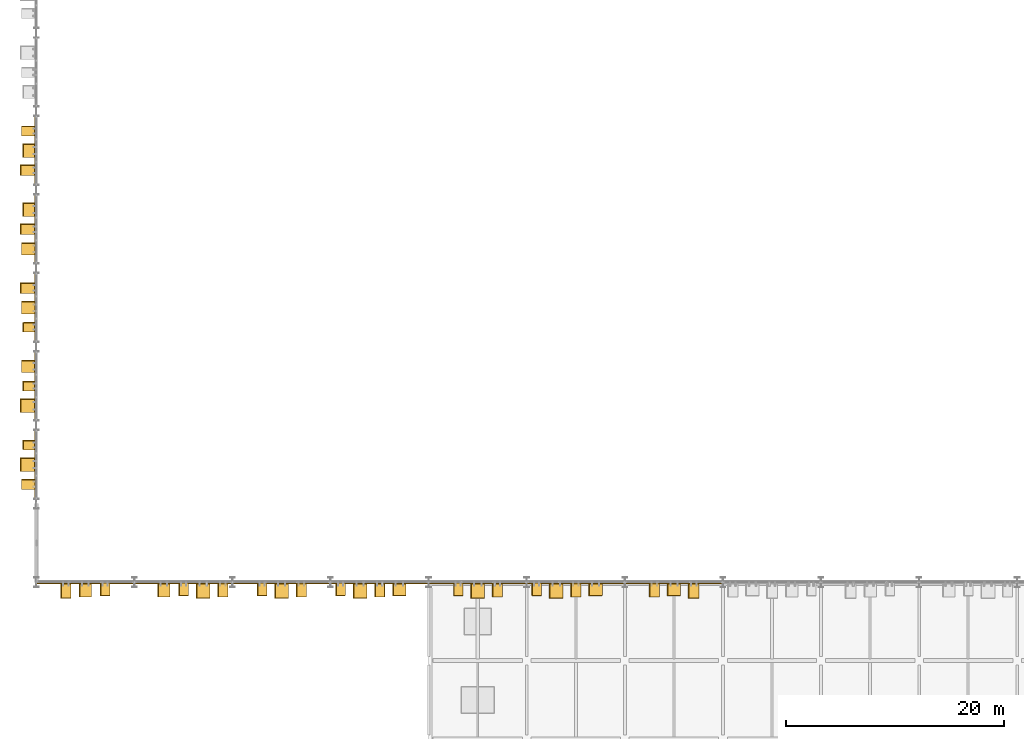
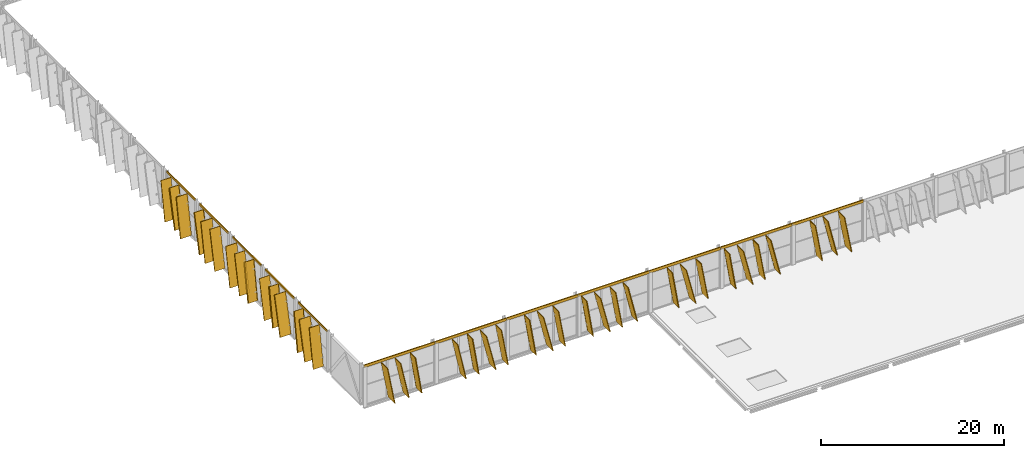
# One storey, part 158 of 189: 51 coverings, 39 shading devices.
"""IFC4 building model written with IfcOpenShell, lengths in metres."""

from ifc_helpers import new_model, si_unit, direction, frame, origin, origin_2d, place, context, subcontext, project, spatial, rectangle, extrude, material, layer, layer_set, material_profile, profile_set, type_object, element, save


model = new_model("IFC4")

# Units and contexts
model_context = context("Model", 3, precision=1e-05, world=origin(), true_north=direction((0.0, 1.0)))
body_context = subcontext(model_context, "Body", "Model", "MODEL_VIEW")
ifc_project = project(units=[si_unit("LENGTHUNIT", "METRE"), si_unit("AREAUNIT", "SQUARE_METRE"), si_unit("VOLUMEUNIT", "CUBIC_METRE"), si_unit("PLANEANGLEUNIT", "RADIAN"), si_unit("MASSUNIT", "GRAM", prefix="KILO")], contexts=[model_context])

# Site, building, storey
site_placement = place(None, origin())
site = spatial("IfcSite", under=ifc_project, at=site_placement, CompositionType="ELEMENT")
building_placement = place(site_placement, origin())
building = spatial("IfcBuilding", under=site, at=building_placement, Name="Celestram Park Convention Centre", CompositionType="ELEMENT")
storey_placement = place(building_placement, frame((0.0, 0.0, 5.39990234375)))
storey = spatial("IfcBuildingStorey", under=building, at=storey_placement, Name="L01", CompositionType="ELEMENT", Elevation=5.39990234375)

# Coverings
ifc_material_1 = material(Name="Anodised Bronze Aluminium Spandrel Cladding", Category="aluminium")
ifc_layer = layer(ifc_material_1, 0.050048828125)
ifc_layer_set = layer_set([ifc_layer], Name="Anodised Bronze Aluminium Spandrel Cladding")
covering_type_1 = type_object("IfcCoveringType", Name="ARC-COV-CLD060", PredefinedType="CLADDING", material=ifc_layer_set)
for number, where, z_axis, x_axis, name in (
    (1, (-0.080078125, 32.39990234375, 5.1201171875), (0.0, 0.0, 1.0), (0.0, 1.0, 0.0), "Bronze spandrel cladding CL-L01-113"),
    (2, (-0.080078125, 39.60009765625, 5.1201171875), (0.0, 0.0, 1.0), (0.0, 1.0, 0.0), "Bronze spandrel cladding CL-L01-114"),
    (3, (-0.080078125, 46.800048828125, 5.1201171875), (0.0, 0.0, 1.0), (0.0, 1.0, 0.0), "Bronze spandrel cladding CL-L01-115"),
    (4, (-0.080078125, 54.0, 5.1201171875), (0.0, 0.0, 1.0), (0.0, 1.0, 0.0), "Bronze spandrel cladding CL-L01-116"),
    (5, (-0.080078125, 61.199951171875, 5.1201171875), (0.0, 0.0, 1.0), (0.0, 1.0, 0.0), "Bronze spandrel cladding CL-L01-117"),
):
    element("IfcCovering", number, at=place(storey_placement, frame(where, z_axis=z_axis, x_axis=x_axis)), inside=storey, type_object=covering_type_1, Name=name, PredefinedType="CLADDING", context=body_context, shape_type="SweptSolid", body=[
        extrude(rectangle(XDim=6.27197265625, YDim=0.1201171875, at=origin_2d()), origin(), (0.0, 0.0, 1.0), 0.280029296875),
    ])
for number, where, z_axis, x_axis, name in (
    (6, (31.5, 21.52001953125, 5.047119140625), (0.0, 0.0, 1.0), (-1.0, 0.0, 0.0), "Bronze spandrel cladding CL-L01-123"),
    (7, (22.5, 21.52001953125, 5.047119140625), (0.0, 0.0, 1.0), (-1.0, 0.0, 0.0), "Bronze spandrel cladding CL-L01-124"),
    (8, (13.5, 21.52001953125, 5.047119140625), (0.0, 0.0, 1.0), (-1.0, 0.0, 0.0), "Bronze spandrel cladding CL-L01-125"),
    (9, (4.5, 21.52001953125, 5.047119140625), (0.0, 0.0, 1.0), (-1.0, 0.0, 0.0), "Bronze spandrel cladding CL-L01-126"),
    (10, (58.5, 21.52001953125, 5.047119140625), (0.0, 0.0, 1.0), (-1.0, 0.0, 0.0), "Bronze spandrel cladding CL-L01-134"),
    (11, (49.5, 21.52001953125, 5.047119140625), (0.0, 0.0, 1.0), (-1.0, 0.0, 0.0), "Bronze spandrel cladding CL-L01-135"),
    (12, (40.5, 21.52001953125, 5.047119140625), (0.0, 0.0, 1.0), (-1.0, 0.0, 0.0), "Bronze spandrel cladding CL-L01-136"),
):
    element("IfcCovering", number, at=place(storey_placement, frame(where, z_axis=z_axis, x_axis=x_axis)), inside=storey, type_object=covering_type_1, Name=name, PredefinedType="CLADDING", context=body_context, shape_type="SweptSolid", body=[
        extrude(rectangle(XDim=8.97998046875, YDim=0.1201171875, at=origin_2d()), origin(), (0.0, 0.0, 1.0), 0.35302734375),
    ])
ifc_material_2 = material(Name="Timber-Toned Anodised Aluminium Alloy 6063-T6", Category="wood")
ifc_material_profile_1 = material_profile(ifc_material_2, rectangle(XDim=1.1201171875, YDim=0.090087890625, at=origin_2d()), Name="REED1120X90")
ifc_profile_set_1 = profile_set([ifc_material_profile_1], Name="Timber-Toned Anodised Aluminium Alloy 6063-T6")
covering_type_2 = type_object("IfcCoveringType", Name="ARC-COV-FIN1120", PredefinedType="CLADDING", material=ifc_profile_set_1)
for number, where, z_axis, x_axis, name in (
    (13, (-0.639892578125, 33.793212890625, 0.037841796875), (0.0, 0.159862743671, 0.987139252176), (-1.0, 0.0, 0.0), "Leaning timber-toned reed fin RFN-L01-0350"),
    (14, (-0.639892578125, 39.193115234375, 0.037841796875), (0.0, 0.159862743671, 0.987139252176), (-1.0, 0.0, 0.0), "Leaning timber-toned reed fin RFN-L01-0352"),
    (15, (-0.639892578125, 44.593017578125, 0.037841796875), (0.0, 0.15990948099, 0.987131682142), (-1.0, 0.0, 0.0), "Leaning timber-toned reed fin RFN-L01-0354"),
    (16, (-0.639892578125, 55.210205078125, 0.074462890625), (0.0, 0.231765345143, 0.972771722857), (-1.0, 0.0, 0.0), "Leaning timber-toned reed fin RFN-L01-0359"),
    (17, (-0.639892578125, 60.610107421875, 0.074462890625), (0.0, 0.231765345143, 0.972771722857), (-1.0, 0.0, 0.0), "Leaning timber-toned reed fin RFN-L01-0361"),
):
    element("IfcCovering", number, at=place(storey_placement, frame(where, z_axis=z_axis, x_axis=x_axis)), inside=storey, type_object=covering_type_2, Name=name, PredefinedType="CLADDING", context=body_context, shape_type="SweptSolid", body=[
        extrude(rectangle(XDim=1.1201171875, YDim=0.090087890625, at=origin_2d()), origin(), (0.0, 0.0, 1.0), 5.090087890625),
    ])
for number, where, z_axis, x_axis, name in (
    (18, (33.88134765625, 20.9599609375, 0.073486328125), (-0.231734560707, 0.0, 0.972779056813), (0.0, -1.0, 0.0), "Leaning timber-toned reed fin RFN-L01-0378"),
    (19, (28.301025390625, 20.9599609375, 0.037353515625), (-0.159907121686, 0.0, 0.987132064333), (0.0, -1.0, 0.0), "Leaning timber-toned reed fin RFN-L01-0381"),
    (20, (21.10107421875, 20.9599609375, 0.037353515625), (-0.159907121686, 0.0, 0.987132064333), (0.0, -1.0, 0.0), "Leaning timber-toned reed fin RFN-L01-0384"),
    (21, (13.901123046875, 20.9599609375, 0.037353515625), (-0.159907121686, 0.0, 0.987132064333), (0.0, -1.0, 0.0), "Leaning timber-toned reed fin RFN-L01-0387"),
    (22, (6.701171875, 20.9599609375, 0.037353515625), (-0.159907121686, 0.0, 0.987132064333), (0.0, -1.0, 0.0), "Leaning timber-toned reed fin RFN-L01-0389"),
    (23, (59.081298828125, 20.9599609375, 0.073486328125), (-0.231734560707, 0.0, 0.972779056813), (0.0, -1.0, 0.0), "Leaning timber-toned reed fin RFN-L01-0420"),
    (24, (51.88134765625, 20.9599609375, 0.073486328125), (-0.231734560707, 0.0, 0.972779056813), (0.0, -1.0, 0.0), "Leaning timber-toned reed fin RFN-L01-0422"),
    (25, (46.301025390625, 20.9599609375, 0.037353515625), (-0.159907121686, 0.0, 0.987132064333), (0.0, -1.0, 0.0), "Leaning timber-toned reed fin RFN-L01-0425"),
    (26, (39.10107421875, 20.9599609375, 0.037353515625), (-0.159907121686, 0.0, 0.987132064333), (0.0, -1.0, 0.0), "Leaning timber-toned reed fin RFN-L01-0428"),
):
    element("IfcCovering", number, at=place(storey_placement, frame(where, z_axis=z_axis, x_axis=x_axis)), inside=storey, type_object=covering_type_2, Name=name, PredefinedType="CLADDING", context=body_context, shape_type="SweptSolid", body=[
        extrude(rectangle(XDim=1.1201171875, YDim=0.090087890625, at=origin_2d()), origin(), (0.0, 0.0, 1.0), 5.016845703125),
    ])
ifc_material_profile_2 = material_profile(ifc_material_2, rectangle(XDim=1.280029296875, YDim=0.090087890625, at=origin_2d()), Name="REED1280X90")
ifc_profile_set_2 = profile_set([ifc_material_profile_2], Name="Timber-Toned Anodised Aluminium Alloy 6063-T6")
covering_type_3 = type_object("IfcCoveringType", Name="ARC-COV-FIN1280", PredefinedType="CLADDING", material=ifc_profile_set_2)
for number, where, z_axis, x_axis, name in (
    (27, (-0.719970703125, 30.166748046875, 0.042236328125), (0.0, 0.170221715389, 0.985405788297), (-1.0, 0.0, 0.0), "Leaning timber-toned reed fin RFN-L01-0348"),
    (28, (-0.719970703125, 40.866455078125, 0.0615234375), (0.0, 0.20964700641, 0.977777138567), (-1.0, 0.0, 0.0), "Leaning timber-toned reed fin RFN-L01-0353"),
    (29, (-0.719970703125, 46.2666015625, 0.0615234375), (0.0, 0.209601150621, 0.977786969466), (-1.0, 0.0, 0.0), "Leaning timber-toned reed fin RFN-L01-0355"),
    (30, (-0.719970703125, 51.66650390625, 0.0615234375), (0.0, 0.209601150621, 0.977786969466), (-1.0, 0.0, 0.0), "Leaning timber-toned reed fin RFN-L01-0357"),
    (31, (-0.719970703125, 62.56689453125, 0.042236328125), (0.0, 0.170175141286, 0.985413832503), (-1.0, 0.0, 0.0), "Leaning timber-toned reed fin RFN-L01-0362"),
):
    element("IfcCovering", number, at=place(storey_placement, frame(where, z_axis=z_axis, x_axis=x_axis)), inside=storey, type_object=covering_type_3, Name=name, PredefinedType="CLADDING", context=body_context, shape_type="SweptSolid", body=[
        extrude(rectangle(XDim=1.280029296875, YDim=0.090087890625, at=origin_2d()), origin(), (0.0, 0.0, 1.0), 5.090087890625),
    ])
for number, where, z_axis, x_axis, name in (
    (32, (31.927001953125, 20.8798828125, 0.041748046875), (-0.170219783449, 0.0, 0.985406122024), (0.0, -1.0, 0.0), "Leaning timber-toned reed fin RFN-L01-0379"),
    (33, (24.72705078125, 20.8798828125, 0.041748046875), (-0.170219783449, 0.0, 0.985406122024), (0.0, -1.0, 0.0), "Leaning timber-toned reed fin RFN-L01-0382"),
    (34, (17.527099609375, 20.8798828125, 0.041748046875), (-0.170219783449, 0.0, 0.985406122024), (0.0, -1.0, 0.0), "Leaning timber-toned reed fin RFN-L01-0385"),
):
    element("IfcCovering", number, at=place(storey_placement, frame(where, z_axis=z_axis, x_axis=x_axis)), inside=storey, type_object=covering_type_3, Name=name, PredefinedType="CLADDING", context=body_context, shape_type="SweptSolid", body=[
        extrude(rectangle(XDim=1.280029296875, YDim=0.090087890625, at=origin_2d()), origin(), (0.0, 0.0, 1.0), 5.01708984375),
    ])
covering_1_placement = place(storey_placement, frame((12.225830078125, 20.8798828125, 0.060791015625), z_axis=(-0.209592231712, 0.0, 0.977788881306), x_axis=(0.0, -1.0, 0.0)))
element("IfcCovering", 35, at=covering_1_placement, inside=storey, type_object=covering_type_3, Name="Leaning timber-toned reed fin RFN-L01-0388", PredefinedType="CLADDING", context=body_context, shape_type="SweptSolid", body=[
    extrude(rectangle(XDim=1.280029296875, YDim=0.090087890625, at=origin_2d()), origin(), (0.0, 0.0, 1.0), 5.016845703125),
])
for number, where, z_axis, x_axis, name in (
    (36, (5.02587890625, 20.8798828125, 0.060791015625), (-0.209638756441, 0.0, 0.977778907421), (0.0, -1.0, 0.0), "Leaning timber-toned reed fin RFN-L01-0390"),
    (37, (57.126953125, 20.8798828125, 0.041748046875), (-0.170219783449, 0.0, 0.985406122024), (0.0, -1.0, 0.0), "Leaning timber-toned reed fin RFN-L01-0421"),
    (38, (49.927001953125, 20.8798828125, 0.041748046875), (-0.170219783449, 0.0, 0.985406122024), (0.0, -1.0, 0.0), "Leaning timber-toned reed fin RFN-L01-0423"),
    (39, (42.72705078125, 20.8798828125, 0.041748046875), (-0.170219783449, 0.0, 0.985406122024), (0.0, -1.0, 0.0), "Leaning timber-toned reed fin RFN-L01-0426"),
):
    element("IfcCovering", number, at=place(storey_placement, frame(where, z_axis=z_axis, x_axis=x_axis)), inside=storey, type_object=covering_type_3, Name=name, PredefinedType="CLADDING", context=body_context, shape_type="SweptSolid", body=[
        extrude(rectangle(XDim=1.280029296875, YDim=0.090087890625, at=origin_2d()), origin(), (0.0, 0.0, 1.0), 5.01708984375),
    ])
ifc_material_profile_3 = material_profile(ifc_material_2, rectangle(XDim=1.419921875, YDim=0.090087890625, at=origin_2d()), Name="REED1420X90")
ifc_profile_set_3 = profile_set([ifc_material_profile_3], Name="Timber-Toned Anodised Aluminium Alloy 6063-T6")
covering_type_4 = type_object("IfcCoveringType", Name="ARC-COV-FIN1420", PredefinedType="CLADDING", material=ifc_profile_set_3)
for number, where, z_axis, x_axis, name in (
    (40, (-0.7900390625, 31.79296875, 0.07861328125), (0.0, 0.238538227201, 0.971133108366), (-1.0, 0.0, 0.0), "Leaning timber-toned reed fin RFN-L01-0349"),
    (41, (-0.7900390625, 37.19287109375, 0.07861328125), (0.0, 0.238538227201, 0.971133108366), (-1.0, 0.0, 0.0), "Leaning timber-toned reed fin RFN-L01-0351"),
    (42, (-0.7900390625, 48.140625, 0.046875), (0.0, 0.180493379414, 0.98357619938), (-1.0, 0.0, 0.0), "Leaning timber-toned reed fin RFN-L01-0356"),
):
    element("IfcCovering", number, at=place(storey_placement, frame(where, z_axis=z_axis, x_axis=x_axis)), inside=storey, type_object=covering_type_4, Name=name, PredefinedType="CLADDING", context=body_context, shape_type="SweptSolid", body=[
        extrude(rectangle(XDim=1.419921875, YDim=0.090087890625, at=origin_2d()), origin(), (0.0, 0.0, 1.0), 5.08984375),
    ])
covering_2_placement = place(storey_placement, frame((-0.7900390625, 53.54052734375, 0.046875), z_axis=(0.0, 0.180539781493, 0.98356768313), x_axis=(-1.0, 0.0, 0.0)))
element("IfcCovering", 43, at=covering_2_placement, inside=storey, type_object=covering_type_4, Name="Leaning timber-toned reed fin RFN-L01-0358", PredefinedType="CLADDING", context=body_context, shape_type="SweptSolid", body=[
    extrude(rectangle(XDim=1.419921875, YDim=0.090087890625, at=origin_2d()), origin(), (0.0, 0.0, 1.0), 5.090087890625),
])
covering_3_placement = place(storey_placement, frame((-0.7900390625, 58.940673828125, 0.046875), z_axis=(0.0, 0.180493379414, 0.98357619938), x_axis=(-1.0, 0.0, 0.0)))
element("IfcCovering", 44, at=covering_3_placement, inside=storey, type_object=covering_type_4, Name="Leaning timber-toned reed fin RFN-L01-0360", PredefinedType="CLADDING", context=body_context, shape_type="SweptSolid", body=[
    extrude(rectangle(XDim=1.419921875, YDim=0.090087890625, at=origin_2d()), origin(), (0.0, 0.0, 1.0), 5.08984375),
])
for number, where, z_axis, x_axis, name in (
    (45, (30.29833984375, 20.81005859375, 0.077392578125), (-0.238537617447, 0.0, 0.971133258138), (0.0, -1.0, 0.0), "Leaning timber-toned reed fin RFN-L01-0380"),
    (46, (23.098388671875, 20.81005859375, 0.077392578125), (-0.238537617447, 0.0, 0.971133258138), (0.0, -1.0, 0.0), "Leaning timber-toned reed fin RFN-L01-0383"),
    (47, (15.8984375, 20.81005859375, 0.077392578125), (-0.238537617447, 0.0, 0.971133258138), (0.0, -1.0, 0.0), "Leaning timber-toned reed fin RFN-L01-0386"),
):
    element("IfcCovering", number, at=place(storey_placement, frame(where, z_axis=z_axis, x_axis=x_axis)), inside=storey, type_object=covering_type_4, Name=name, PredefinedType="CLADDING", context=body_context, shape_type="SweptSolid", body=[
        extrude(rectangle(XDim=1.419921875, YDim=0.090087890625, at=origin_2d()), origin(), (0.0, 0.0, 1.0), 5.01708984375),
    ])
for number, where, z_axis, x_axis, name in (
    (48, (3.15283203125, 20.81005859375, 0.04638671875), (-0.180491079023, 0.0, 0.983576621516), (0.0, -1.0, 0.0), "Leaning timber-toned reed fin RFN-L01-0391"),
    (49, (60.752685546875, 20.81005859375, 0.04638671875), (-0.180491079023, 0.0, 0.983576621516), (0.0, -1.0, 0.0), "Leaning timber-toned reed fin RFN-L01-0419"),
):
    element("IfcCovering", number, at=place(storey_placement, frame(where, z_axis=z_axis, x_axis=x_axis)), inside=storey, type_object=covering_type_4, Name=name, PredefinedType="CLADDING", context=body_context, shape_type="SweptSolid", body=[
        extrude(rectangle(XDim=1.419921875, YDim=0.090087890625, at=origin_2d()), origin(), (0.0, 0.0, 1.0), 5.016845703125),
    ])
for number, where, z_axis, x_axis, name in (
    (50, (48.29833984375, 20.81005859375, 0.077392578125), (-0.238537617447, 0.0, 0.971133258138), (0.0, -1.0, 0.0), "Leaning timber-toned reed fin RFN-L01-0424"),
    (51, (41.098388671875, 20.81005859375, 0.077392578125), (-0.238537617447, 0.0, 0.971133258138), (0.0, -1.0, 0.0), "Leaning timber-toned reed fin RFN-L01-0427"),
):
    element("IfcCovering", number, at=place(storey_placement, frame(where, z_axis=z_axis, x_axis=x_axis)), inside=storey, type_object=covering_type_4, Name=name, PredefinedType="CLADDING", context=body_context, shape_type="SweptSolid", body=[
        extrude(rectangle(XDim=1.419921875, YDim=0.090087890625, at=origin_2d()), origin(), (0.0, 0.0, 1.0), 5.01708984375),
    ])

# Shading devices
ifc_material_3 = material(Name="Anodised Bronze Aluminium Alloy 6063-T6", Category="aluminium")
ifc_material_profile_4 = material_profile(ifc_material_3, rectangle(XDim=1.280029296875, YDim=0.080078125, at=origin_2d()), Name="FIN1280X80")
ifc_profile_set_4 = profile_set([ifc_material_profile_4], Name="Anodised Bronze Aluminium Alloy 6063-T6")
shading_device_type = type_object("IfcShadingDeviceType", Name="ARC-FIN-BZ1280", PredefinedType="USERDEFINED", material=ifc_profile_set_4)
shading_device_1_placement = place(storey_placement, frame((-0.719970703125, 30.166748046875, 0.042236328125), z_axis=(0.0, 0.170221715389, 0.985405788297), x_axis=(-1.0, 0.0, 0.0)))
element("IfcShadingDevice", 52, at=shading_device_1_placement, inside=storey, type_object=shading_device_type, Name="Expressive solar fin FN-L01-0348", ObjectType="SOLAR_FIN", PredefinedType="USERDEFINED", context=body_context, shape_type="SweptSolid", body=[
    extrude(rectangle(XDim=1.280029296875, YDim=0.080078125, at=origin_2d()), origin(), (0.0, 0.0, 1.0), 5.090087890625),
])
shading_device_2_placement = place(storey_placement, frame((-0.7900390625, 31.79296875, 0.07861328125), z_axis=(0.0, 0.238538227201, 0.971133108366), x_axis=(-1.0, 0.0, 0.0)))
element("IfcShadingDevice", 53, at=shading_device_2_placement, inside=storey, type_object=shading_device_type, Name="Expressive solar fin FN-L01-0349", ObjectType="SOLAR_FIN", PredefinedType="USERDEFINED", context=body_context, shape_type="SweptSolid", body=[
    extrude(rectangle(XDim=1.280029296875, YDim=0.080078125, at=origin_2d()), origin(), (0.0, 0.0, 1.0), 5.08984375),
])
shading_device_3_placement = place(storey_placement, frame((-0.639892578125, 33.793212890625, 0.037841796875), z_axis=(0.0, 0.159862743671, 0.987139252176), x_axis=(-1.0, 0.0, 0.0)))
element("IfcShadingDevice", 54, at=shading_device_3_placement, inside=storey, type_object=shading_device_type, Name="Expressive solar fin FN-L01-0350", ObjectType="SOLAR_FIN", PredefinedType="USERDEFINED", context=body_context, shape_type="SweptSolid", body=[
    extrude(rectangle(XDim=1.280029296875, YDim=0.080078125, at=origin_2d()), origin(), (0.0, 0.0, 1.0), 5.090087890625),
])
shading_device_4_placement = place(storey_placement, frame((-0.7900390625, 37.19287109375, 0.07861328125), z_axis=(0.0, 0.238538227201, 0.971133108366), x_axis=(-1.0, 0.0, 0.0)))
element("IfcShadingDevice", 55, at=shading_device_4_placement, inside=storey, type_object=shading_device_type, Name="Expressive solar fin FN-L01-0351", ObjectType="SOLAR_FIN", PredefinedType="USERDEFINED", context=body_context, shape_type="SweptSolid", body=[
    extrude(rectangle(XDim=1.280029296875, YDim=0.080078125, at=origin_2d()), origin(), (0.0, 0.0, 1.0), 5.08984375),
])
for number, where, z_axis, x_axis, name in (
    (56, (-0.639892578125, 39.193115234375, 0.037841796875), (0.0, 0.159862743671, 0.987139252176), (-1.0, 0.0, 0.0), "Expressive solar fin FN-L01-0352"),
    (57, (-0.719970703125, 40.866455078125, 0.0615234375), (0.0, 0.20964700641, 0.977777138567), (-1.0, 0.0, 0.0), "Expressive solar fin FN-L01-0353"),
    (58, (-0.639892578125, 44.593017578125, 0.037841796875), (0.0, 0.15990948099, 0.987131682142), (-1.0, 0.0, 0.0), "Expressive solar fin FN-L01-0354"),
    (59, (-0.719970703125, 46.2666015625, 0.0615234375), (0.0, 0.209601150621, 0.977786969466), (-1.0, 0.0, 0.0), "Expressive solar fin FN-L01-0355"),
):
    element("IfcShadingDevice", number, at=place(storey_placement, frame(where, z_axis=z_axis, x_axis=x_axis)), inside=storey, type_object=shading_device_type, Name=name, ObjectType="SOLAR_FIN", PredefinedType="USERDEFINED", context=body_context, shape_type="SweptSolid", body=[
        extrude(rectangle(XDim=1.280029296875, YDim=0.080078125, at=origin_2d()), origin(), (0.0, 0.0, 1.0), 5.090087890625),
    ])
shading_device_5_placement = place(storey_placement, frame((-0.7900390625, 48.140625, 0.046875), z_axis=(0.0, 0.180493379414, 0.98357619938), x_axis=(-1.0, 0.0, 0.0)))
element("IfcShadingDevice", 60, at=shading_device_5_placement, inside=storey, type_object=shading_device_type, Name="Expressive solar fin FN-L01-0356", ObjectType="SOLAR_FIN", PredefinedType="USERDEFINED", context=body_context, shape_type="SweptSolid", body=[
    extrude(rectangle(XDim=1.280029296875, YDim=0.080078125, at=origin_2d()), origin(), (0.0, 0.0, 1.0), 5.08984375),
])
for number, where, z_axis, x_axis, name in (
    (61, (-0.719970703125, 51.66650390625, 0.0615234375), (0.0, 0.209601150621, 0.977786969466), (-1.0, 0.0, 0.0), "Expressive solar fin FN-L01-0357"),
    (62, (-0.7900390625, 53.54052734375, 0.046875), (0.0, 0.180539781493, 0.98356768313), (-1.0, 0.0, 0.0), "Expressive solar fin FN-L01-0358"),
    (63, (-0.639892578125, 55.210205078125, 0.074462890625), (0.0, 0.231765345143, 0.972771722857), (-1.0, 0.0, 0.0), "Expressive solar fin FN-L01-0359"),
):
    element("IfcShadingDevice", number, at=place(storey_placement, frame(where, z_axis=z_axis, x_axis=x_axis)), inside=storey, type_object=shading_device_type, Name=name, ObjectType="SOLAR_FIN", PredefinedType="USERDEFINED", context=body_context, shape_type="SweptSolid", body=[
        extrude(rectangle(XDim=1.280029296875, YDim=0.080078125, at=origin_2d()), origin(), (0.0, 0.0, 1.0), 5.090087890625),
    ])
shading_device_6_placement = place(storey_placement, frame((-0.7900390625, 58.940673828125, 0.046875), z_axis=(0.0, 0.180493379414, 0.98357619938), x_axis=(-1.0, 0.0, 0.0)))
element("IfcShadingDevice", 64, at=shading_device_6_placement, inside=storey, type_object=shading_device_type, Name="Expressive solar fin FN-L01-0360", ObjectType="SOLAR_FIN", PredefinedType="USERDEFINED", context=body_context, shape_type="SweptSolid", body=[
    extrude(rectangle(XDim=1.280029296875, YDim=0.080078125, at=origin_2d()), origin(), (0.0, 0.0, 1.0), 5.08984375),
])
for number, where, z_axis, x_axis, name in (
    (65, (-0.639892578125, 60.610107421875, 0.074462890625), (0.0, 0.231765345143, 0.972771722857), (-1.0, 0.0, 0.0), "Expressive solar fin FN-L01-0361"),
    (66, (-0.719970703125, 62.56689453125, 0.042236328125), (0.0, 0.170175141286, 0.985413832503), (-1.0, 0.0, 0.0), "Expressive solar fin FN-L01-0362"),
):
    element("IfcShadingDevice", number, at=place(storey_placement, frame(where, z_axis=z_axis, x_axis=x_axis)), inside=storey, type_object=shading_device_type, Name=name, ObjectType="SOLAR_FIN", PredefinedType="USERDEFINED", context=body_context, shape_type="SweptSolid", body=[
        extrude(rectangle(XDim=1.280029296875, YDim=0.080078125, at=origin_2d()), origin(), (0.0, 0.0, 1.0), 5.090087890625),
    ])
shading_device_7_placement = place(storey_placement, frame((33.88134765625, 20.9599609375, 0.073486328125), z_axis=(-0.231734560707, 0.0, 0.972779056813), x_axis=(0.0, -1.0, 0.0)))
element("IfcShadingDevice", 67, at=shading_device_7_placement, inside=storey, type_object=shading_device_type, Name="Expressive solar fin FN-L01-0378", ObjectType="SOLAR_FIN", PredefinedType="USERDEFINED", context=body_context, shape_type="SweptSolid", body=[
    extrude(rectangle(XDim=1.280029296875, YDim=0.080078125, at=origin_2d()), origin(), (0.0, 0.0, 1.0), 5.016845703125),
])
for number, where, z_axis, x_axis, name in (
    (68, (31.927001953125, 20.8798828125, 0.041748046875), (-0.170219783449, 0.0, 0.985406122024), (0.0, -1.0, 0.0), "Expressive solar fin FN-L01-0379"),
    (69, (30.29833984375, 20.81005859375, 0.077392578125), (-0.238537617447, 0.0, 0.971133258138), (0.0, -1.0, 0.0), "Expressive solar fin FN-L01-0380"),
):
    element("IfcShadingDevice", number, at=place(storey_placement, frame(where, z_axis=z_axis, x_axis=x_axis)), inside=storey, type_object=shading_device_type, Name=name, ObjectType="SOLAR_FIN", PredefinedType="USERDEFINED", context=body_context, shape_type="SweptSolid", body=[
        extrude(rectangle(XDim=1.280029296875, YDim=0.080078125, at=origin_2d()), origin(), (0.0, 0.0, 1.0), 5.01708984375),
    ])
shading_device_8_placement = place(storey_placement, frame((28.301025390625, 20.9599609375, 0.037353515625), z_axis=(-0.159907121686, 0.0, 0.987132064333), x_axis=(0.0, -1.0, 0.0)))
element("IfcShadingDevice", 70, at=shading_device_8_placement, inside=storey, type_object=shading_device_type, Name="Expressive solar fin FN-L01-0381", ObjectType="SOLAR_FIN", PredefinedType="USERDEFINED", context=body_context, shape_type="SweptSolid", body=[
    extrude(rectangle(XDim=1.280029296875, YDim=0.080078125, at=origin_2d()), origin(), (0.0, 0.0, 1.0), 5.016845703125),
])
for number, where, z_axis, x_axis, name in (
    (71, (24.72705078125, 20.8798828125, 0.041748046875), (-0.170219783449, 0.0, 0.985406122024), (0.0, -1.0, 0.0), "Expressive solar fin FN-L01-0382"),
    (72, (23.098388671875, 20.81005859375, 0.077392578125), (-0.238537617447, 0.0, 0.971133258138), (0.0, -1.0, 0.0), "Expressive solar fin FN-L01-0383"),
):
    element("IfcShadingDevice", number, at=place(storey_placement, frame(where, z_axis=z_axis, x_axis=x_axis)), inside=storey, type_object=shading_device_type, Name=name, ObjectType="SOLAR_FIN", PredefinedType="USERDEFINED", context=body_context, shape_type="SweptSolid", body=[
        extrude(rectangle(XDim=1.280029296875, YDim=0.080078125, at=origin_2d()), origin(), (0.0, 0.0, 1.0), 5.01708984375),
    ])
shading_device_9_placement = place(storey_placement, frame((21.10107421875, 20.9599609375, 0.037353515625), z_axis=(-0.159907121686, 0.0, 0.987132064333), x_axis=(0.0, -1.0, 0.0)))
element("IfcShadingDevice", 73, at=shading_device_9_placement, inside=storey, type_object=shading_device_type, Name="Expressive solar fin FN-L01-0384", ObjectType="SOLAR_FIN", PredefinedType="USERDEFINED", context=body_context, shape_type="SweptSolid", body=[
    extrude(rectangle(XDim=1.280029296875, YDim=0.080078125, at=origin_2d()), origin(), (0.0, 0.0, 1.0), 5.016845703125),
])
for number, where, z_axis, x_axis, name in (
    (74, (17.527099609375, 20.8798828125, 0.041748046875), (-0.170219783449, 0.0, 0.985406122024), (0.0, -1.0, 0.0), "Expressive solar fin FN-L01-0385"),
    (75, (15.8984375, 20.81005859375, 0.077392578125), (-0.238537617447, 0.0, 0.971133258138), (0.0, -1.0, 0.0), "Expressive solar fin FN-L01-0386"),
):
    element("IfcShadingDevice", number, at=place(storey_placement, frame(where, z_axis=z_axis, x_axis=x_axis)), inside=storey, type_object=shading_device_type, Name=name, ObjectType="SOLAR_FIN", PredefinedType="USERDEFINED", context=body_context, shape_type="SweptSolid", body=[
        extrude(rectangle(XDim=1.280029296875, YDim=0.080078125, at=origin_2d()), origin(), (0.0, 0.0, 1.0), 5.01708984375),
    ])
for number, where, z_axis, x_axis, name in (
    (76, (13.901123046875, 20.9599609375, 0.037353515625), (-0.159907121686, 0.0, 0.987132064333), (0.0, -1.0, 0.0), "Expressive solar fin FN-L01-0387"),
    (77, (12.225830078125, 20.8798828125, 0.060791015625), (-0.209592231712, 0.0, 0.977788881306), (0.0, -1.0, 0.0), "Expressive solar fin FN-L01-0388"),
    (78, (6.701171875, 20.9599609375, 0.037353515625), (-0.159907121686, 0.0, 0.987132064333), (0.0, -1.0, 0.0), "Expressive solar fin FN-L01-0389"),
):
    element("IfcShadingDevice", number, at=place(storey_placement, frame(where, z_axis=z_axis, x_axis=x_axis)), inside=storey, type_object=shading_device_type, Name=name, ObjectType="SOLAR_FIN", PredefinedType="USERDEFINED", context=body_context, shape_type="SweptSolid", body=[
        extrude(rectangle(XDim=1.280029296875, YDim=0.080078125, at=origin_2d()), origin(), (0.0, 0.0, 1.0), 5.016845703125),
    ])
shading_device_10_placement = place(storey_placement, frame((5.02587890625, 20.8798828125, 0.060791015625), z_axis=(-0.209638756441, 0.0, 0.977778907421), x_axis=(0.0, -1.0, 0.0)))
element("IfcShadingDevice", 79, at=shading_device_10_placement, inside=storey, type_object=shading_device_type, Name="Expressive solar fin FN-L01-0390", ObjectType="SOLAR_FIN", PredefinedType="USERDEFINED", context=body_context, shape_type="SweptSolid", body=[
    extrude(rectangle(XDim=1.280029296875, YDim=0.080078125, at=origin_2d()), origin(), (0.0, 0.0, 1.0), 5.01708984375),
])
for number, where, z_axis, x_axis, name in (
    (80, (3.15283203125, 20.81005859375, 0.04638671875), (-0.180491079023, 0.0, 0.983576621516), (0.0, -1.0, 0.0), "Expressive solar fin FN-L01-0391"),
    (81, (60.752685546875, 20.81005859375, 0.04638671875), (-0.180491079023, 0.0, 0.983576621516), (0.0, -1.0, 0.0), "Expressive solar fin FN-L01-0419"),
    (82, (59.081298828125, 20.9599609375, 0.073486328125), (-0.231734560707, 0.0, 0.972779056813), (0.0, -1.0, 0.0), "Expressive solar fin FN-L01-0420"),
):
    element("IfcShadingDevice", number, at=place(storey_placement, frame(where, z_axis=z_axis, x_axis=x_axis)), inside=storey, type_object=shading_device_type, Name=name, ObjectType="SOLAR_FIN", PredefinedType="USERDEFINED", context=body_context, shape_type="SweptSolid", body=[
        extrude(rectangle(XDim=1.280029296875, YDim=0.080078125, at=origin_2d()), origin(), (0.0, 0.0, 1.0), 5.016845703125),
    ])
shading_device_11_placement = place(storey_placement, frame((57.126953125, 20.8798828125, 0.041748046875), z_axis=(-0.170219783449, 0.0, 0.985406122024), x_axis=(0.0, -1.0, 0.0)))
element("IfcShadingDevice", 83, at=shading_device_11_placement, inside=storey, type_object=shading_device_type, Name="Expressive solar fin FN-L01-0421", ObjectType="SOLAR_FIN", PredefinedType="USERDEFINED", context=body_context, shape_type="SweptSolid", body=[
    extrude(rectangle(XDim=1.280029296875, YDim=0.080078125, at=origin_2d()), origin(), (0.0, 0.0, 1.0), 5.01708984375),
])
shading_device_12_placement = place(storey_placement, frame((51.88134765625, 20.9599609375, 0.073486328125), z_axis=(-0.231734560707, 0.0, 0.972779056813), x_axis=(0.0, -1.0, 0.0)))
element("IfcShadingDevice", 84, at=shading_device_12_placement, inside=storey, type_object=shading_device_type, Name="Expressive solar fin FN-L01-0422", ObjectType="SOLAR_FIN", PredefinedType="USERDEFINED", context=body_context, shape_type="SweptSolid", body=[
    extrude(rectangle(XDim=1.280029296875, YDim=0.080078125, at=origin_2d()), origin(), (0.0, 0.0, 1.0), 5.016845703125),
])
for number, where, z_axis, x_axis, name in (
    (85, (49.927001953125, 20.8798828125, 0.041748046875), (-0.170219783449, 0.0, 0.985406122024), (0.0, -1.0, 0.0), "Expressive solar fin FN-L01-0423"),
    (86, (48.29833984375, 20.81005859375, 0.077392578125), (-0.238537617447, 0.0, 0.971133258138), (0.0, -1.0, 0.0), "Expressive solar fin FN-L01-0424"),
):
    element("IfcShadingDevice", number, at=place(storey_placement, frame(where, z_axis=z_axis, x_axis=x_axis)), inside=storey, type_object=shading_device_type, Name=name, ObjectType="SOLAR_FIN", PredefinedType="USERDEFINED", context=body_context, shape_type="SweptSolid", body=[
        extrude(rectangle(XDim=1.280029296875, YDim=0.080078125, at=origin_2d()), origin(), (0.0, 0.0, 1.0), 5.01708984375),
    ])
shading_device_13_placement = place(storey_placement, frame((46.301025390625, 20.9599609375, 0.037353515625), z_axis=(-0.159907121686, 0.0, 0.987132064333), x_axis=(0.0, -1.0, 0.0)))
element("IfcShadingDevice", 87, at=shading_device_13_placement, inside=storey, type_object=shading_device_type, Name="Expressive solar fin FN-L01-0425", ObjectType="SOLAR_FIN", PredefinedType="USERDEFINED", context=body_context, shape_type="SweptSolid", body=[
    extrude(rectangle(XDim=1.280029296875, YDim=0.080078125, at=origin_2d()), origin(), (0.0, 0.0, 1.0), 5.016845703125),
])
for number, where, z_axis, x_axis, name in (
    (88, (42.72705078125, 20.8798828125, 0.041748046875), (-0.170219783449, 0.0, 0.985406122024), (0.0, -1.0, 0.0), "Expressive solar fin FN-L01-0426"),
    (89, (41.098388671875, 20.81005859375, 0.077392578125), (-0.238537617447, 0.0, 0.971133258138), (0.0, -1.0, 0.0), "Expressive solar fin FN-L01-0427"),
):
    element("IfcShadingDevice", number, at=place(storey_placement, frame(where, z_axis=z_axis, x_axis=x_axis)), inside=storey, type_object=shading_device_type, Name=name, ObjectType="SOLAR_FIN", PredefinedType="USERDEFINED", context=body_context, shape_type="SweptSolid", body=[
        extrude(rectangle(XDim=1.280029296875, YDim=0.080078125, at=origin_2d()), origin(), (0.0, 0.0, 1.0), 5.01708984375),
    ])
shading_device_14_placement = place(storey_placement, frame((39.10107421875, 20.9599609375, 0.037353515625), z_axis=(-0.159907121686, 0.0, 0.987132064333), x_axis=(0.0, -1.0, 0.0)))
element("IfcShadingDevice", 90, at=shading_device_14_placement, inside=storey, type_object=shading_device_type, Name="Expressive solar fin FN-L01-0428", ObjectType="SOLAR_FIN", PredefinedType="USERDEFINED", context=body_context, shape_type="SweptSolid", body=[
    extrude(rectangle(XDim=1.280029296875, YDim=0.080078125, at=origin_2d()), origin(), (0.0, 0.0, 1.0), 5.016845703125),
])

save(model, "model.ifc")
